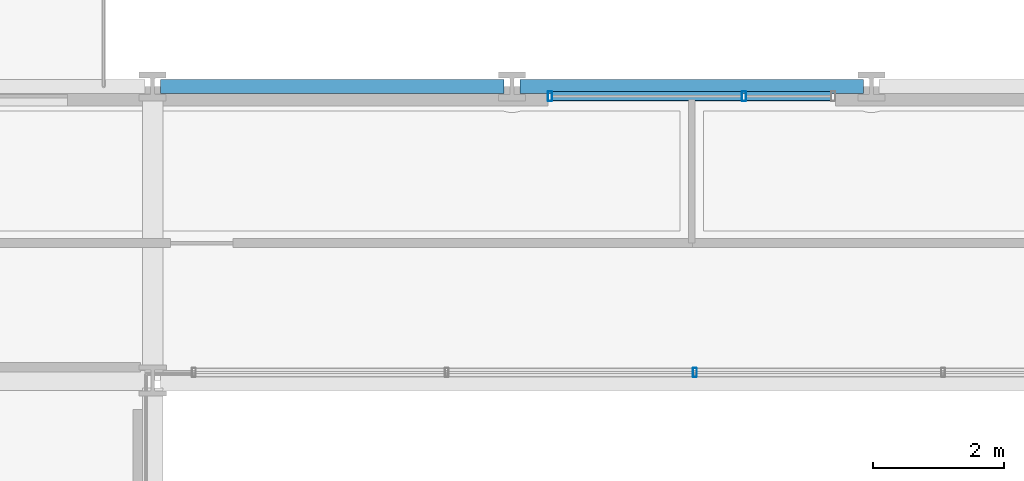
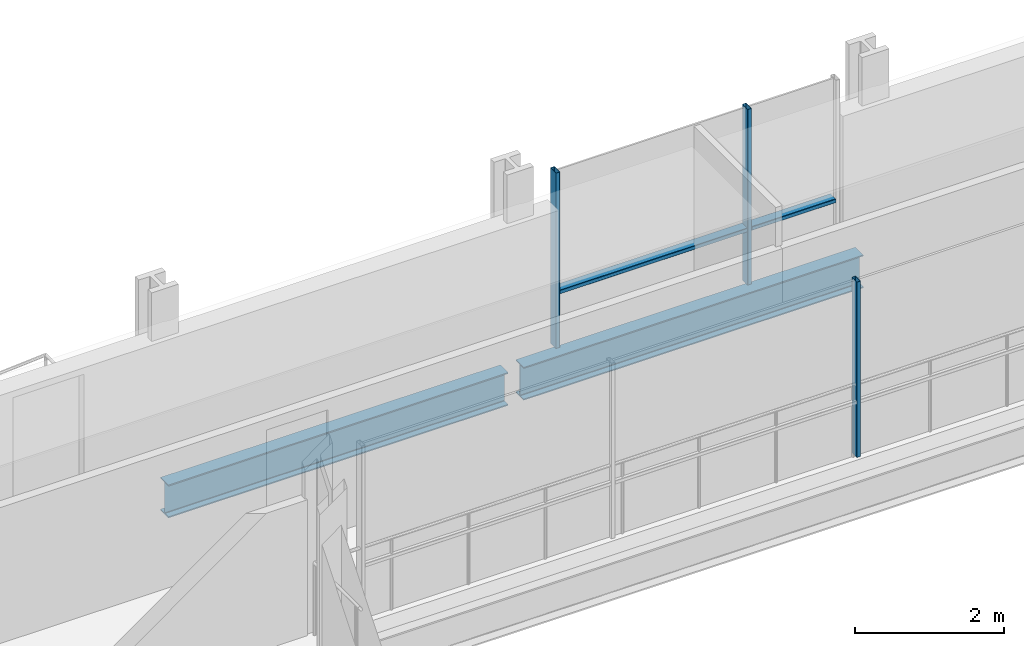
# One storey, part 11 of 39: 5 members, 2 beams, 2 elements without a shape of their own.
"""IFC4 building model written with IfcOpenShell, lengths in metres."""

from ifc_helpers import new_model, si_unit, direction, frame, origin, origin_2d, place, context, subcontext, project, spatial, hollow_rectangle, i_section, extrude, material, layer, layer_set, material_profile, profile_set, type_object, element, aggregate, save


model = new_model("IFC4")

# Units and contexts
model_context = context("Model", 3, precision=1e-05, world=origin(), true_north=direction((0.0, 1.0)))
body_context = subcontext(model_context, "Body", "Model", "MODEL_VIEW")
ifc_project = project(units=[si_unit("LENGTHUNIT", "METRE"), si_unit("AREAUNIT", "SQUARE_METRE"), si_unit("VOLUMEUNIT", "CUBIC_METRE"), si_unit("PLANEANGLEUNIT", "RADIAN"), si_unit("MASSUNIT", "GRAM", prefix="KILO")], contexts=[model_context])

# Site, building, storey
site_placement = place(None, origin())
site = spatial("IfcSite", under=ifc_project, at=site_placement, CompositionType="ELEMENT")
building_placement = place(site_placement, origin())
building = spatial("IfcBuilding", under=site, at=building_placement, Name="Brevholm Reach", CompositionType="ELEMENT")
storey_placement = place(building_placement, frame((0.0, 0.0, 40.39990234375)))
storey = spatial("IfcBuildingStorey", under=building, at=storey_placement, Name="L10", CompositionType="ELEMENT", Elevation=40.39990234375)

# Beams
ifc_material_1 = material(Name="Structural Steel S355J2", Category="steel")
ifc_material_profile_1 = material_profile(ifc_material_1, i_section(OverallWidth=0.210693359375, OverallDepth=0.53955078125, WebThickness=0.01171875, FlangeThickness=0.018798828125, FilletRadius=0.0126953125, at=origin_2d()), Name="UKB 533x210x109")
ifc_profile_set_1 = profile_set([ifc_material_profile_1], Name="Structural Steel S355J2")
beam_type = type_object("IfcBeamType", Name="BM-SP539", PredefinedType="SPANDREL", material=ifc_profile_set_1)
for number, where, z_axis, x_axis, name in (
    (1, (21.8701171875, 31.0, -0.499755859375), (1.0, 0.0, 0.0), (0.0, 1.0, 0.0), "L10 SP-01B Framing Beam"),
    (2, (27.3701171875, 31.0, -0.499755859375), (1.0, 0.0, 0.0), (0.0, 1.0, 0.0), "L10 SP-01B Framing Beam"),
):
    element("IfcBeam", number, at=place(storey_placement, frame(where, z_axis=z_axis, x_axis=x_axis)), inside=storey, type_object=beam_type, Name=name, PredefinedType="SPANDREL", context=body_context, shape_type="SweptSolid", body=[
        extrude(i_section(OverallWidth=0.210693359375, OverallDepth=0.53955078125, WebThickness=0.01171875, FlangeThickness=0.018798828125, FilletRadius=0.0126953125, at=origin_2d()), origin(), (0.0, 0.0, 1.0), 5.259765625),
    ])

# Curtain wall, member
ifc_material_2 = material(Name="Dark Anodised Aluminium 6063-T6 and Solar-Control Glass", Category="aluminium")
ifc_layer_1 = layer(ifc_material_2, 0.139892578125)
ifc_layer_set_1 = layer_set([ifc_layer_1], Name="Dark Anodised Aluminium 6063-T6 and Solar-Control Glass")
curtain_wall_type_1 = type_object("IfcCurtainWallType", Name="CW-02", PredefinedType="NOTDEFINED", material=ifc_layer_set_1)
curtain_wall_1_placement = place(storey_placement, origin())
curtain_wall_1 = element("IfcCurtainWall", 3, at=curtain_wall_1_placement, inside=storey, type_object=curtain_wall_type_1, Name="L10 Curtain Wall CW-02", PredefinedType="NOTDEFINED")
ifc_material_3 = material(Name="Dark Anodised Aluminium 6063-T6", Category="aluminium")
ifc_material_profile_2 = material_profile(ifc_material_3, hollow_rectangle(XDim=0.06005859375, YDim=0.139892578125, WallThickness=0.0048828125, InnerFilletRadius=0.0048828125, OuterFilletRadius=0.010009765625, at=origin_2d()), Name="RHS 140x60x5")
ifc_profile_set_2 = profile_set([ifc_material_profile_2], Name="Dark Anodised Aluminium 6063-T6")
member_type_1 = type_object("IfcMemberType", Name="CWM-140", PredefinedType="MULLION", material=ifc_profile_set_2)
member_1_placement = place(storey_placement, frame((30.050048828125, 26.6201171875, 0.0), z_axis=(0.0, 0.0, 1.0), x_axis=(-1.0, 0.0, 0.0)))
member_1 = element("IfcMember", 4, at=member_1_placement, type_object=member_type_1, Name="CM-140 Mullion 3", PredefinedType="MULLION", context=body_context, shape_type="SweptSolid", body=[
    extrude(hollow_rectangle(XDim=0.06005859375, YDim=0.139892578125, WallThickness=0.0048828125, InnerFilletRadius=0.0048828125, OuterFilletRadius=0.010009765625, at=origin_2d()), origin(), (0.0, 0.0, 1.0), 2.8701171875),
])
aggregate(curtain_wall_1, [member_1])

# Curtain wall, members
ifc_material_4 = material(Name="Dark Anodised Aluminium 6063-T6 and Solar-Control Glass", Category="aluminium")
ifc_layer_2 = layer(ifc_material_4, 0.14990234375)
ifc_layer_set_2 = layer_set([ifc_layer_2], Name="Dark Anodised Aluminium 6063-T6 and Solar-Control Glass")
curtain_wall_type_2 = type_object("IfcCurtainWallType", Name="CW-01", PredefinedType="NOTDEFINED", material=ifc_layer_set_2)
curtain_wall_2_placement = place(storey_placement, origin())
curtain_wall_2 = element("IfcCurtainWall", 5, at=curtain_wall_2_placement, inside=storey, type_object=curtain_wall_type_2, Name="L10 Curtain Wall CW-01", PredefinedType="NOTDEFINED")
ifc_material_5 = material(Name="Dark Anodised Aluminium 6063-T6", Category="aluminium")
ifc_material_profile_3 = material_profile(ifc_material_5, hollow_rectangle(XDim=0.06494140625, YDim=0.14990234375, WallThickness=0.0048828125, InnerFilletRadius=0.0048828125, OuterFilletRadius=0.010009765625, at=origin_2d()), Name="RHS 150x65x5")
ifc_profile_set_3 = profile_set([ifc_material_profile_3], Name="Dark Anodised Aluminium 6063-T6")
member_type_2 = type_object("IfcMemberType", Name="CWM-150", PredefinedType="MULLION", material=ifc_profile_set_3)
member_2_placement = place(storey_placement, frame((27.83251953125, 30.85009765625, 0.0), z_axis=(0.0, 0.0, 1.0), x_axis=(1.0, 0.0, 0.0)))
member_2 = element("IfcMember", 6, at=member_2_placement, type_object=member_type_2, Name="CM-150 Mullion 1", PredefinedType="MULLION", context=body_context, shape_type="SweptSolid", body=[
    extrude(hollow_rectangle(XDim=0.06494140625, YDim=0.14990234375, WallThickness=0.0048828125, InnerFilletRadius=0.0048828125, OuterFilletRadius=0.010009765625, at=origin_2d()), origin(), (0.0, 0.0, 1.0), 2.8701171875),
])
member_3_placement = place(storey_placement, frame((30.800048828125, 30.85009765625, 0.0), z_axis=(0.0, 0.0, 1.0), x_axis=(1.0, 0.0, 0.0)))
member_3 = element("IfcMember", 7, at=member_3_placement, type_object=member_type_2, Name="CM-150 Mullion 2", PredefinedType="MULLION", context=body_context, shape_type="SweptSolid", body=[
    extrude(hollow_rectangle(XDim=0.06494140625, YDim=0.14990234375, WallThickness=0.0048828125, InnerFilletRadius=0.0048828125, OuterFilletRadius=0.010009765625, at=origin_2d()), origin(), (0.0, 0.0, 1.0), 2.8701171875),
])
ifc_material_6 = material(Name="Dark Anodised Aluminium 6063-T6", Category="aluminium")
ifc_material_profile_4 = material_profile(ifc_material_6, hollow_rectangle(XDim=0.06494140625, YDim=0.14990234375, WallThickness=0.0048828125, InnerFilletRadius=0.0048828125, OuterFilletRadius=0.010009765625, at=origin_2d()), Name="RHS 150x65x5")
ifc_profile_set_4 = profile_set([ifc_material_profile_4], Name="Dark Anodised Aluminium 6063-T6")
member_type_3 = type_object("IfcMemberType", Name="CWT-150", PredefinedType="NOTDEFINED", material=ifc_profile_set_4)
member_4_placement = place(storey_placement, frame((27.864990234375, 30.85009765625, 0.900146484375), z_axis=(1.0, 0.0, 0.0), x_axis=(0.0, 0.0, 1.0)))
member_4 = element("IfcMember", 8, at=member_4_placement, type_object=member_type_3, Name="CT-150 Transom 1.1", ObjectType="TRANSOM", PredefinedType="USERDEFINED", context=body_context, shape_type="SweptSolid", body=[
    extrude(hollow_rectangle(XDim=0.06494140625, YDim=0.14990234375, WallThickness=0.0048828125, InnerFilletRadius=0.0048828125, OuterFilletRadius=0.010009765625, at=origin_2d()), origin(), (0.0, 0.0, 1.0), 2.902587890625),
])
member_5_placement = place(storey_placement, frame((30.83251953125, 30.85009765625, 0.900146484375), z_axis=(1.0, 0.0, 0.0), x_axis=(0.0, 0.0, 1.0)))
member_5 = element("IfcMember", 9, at=member_5_placement, type_object=member_type_3, Name="CT-150 Transom 2.1", ObjectType="TRANSOM", PredefinedType="USERDEFINED", context=body_context, shape_type="SweptSolid", body=[
    extrude(hollow_rectangle(XDim=0.06494140625, YDim=0.14990234375, WallThickness=0.0048828125, InnerFilletRadius=0.0048828125, OuterFilletRadius=0.010009765625, at=origin_2d()), origin(), (0.0, 0.0, 1.0), 1.302490234375),
])
aggregate(curtain_wall_2, [member_2, member_3, member_4, member_5])

save(model, "model.ifc")
